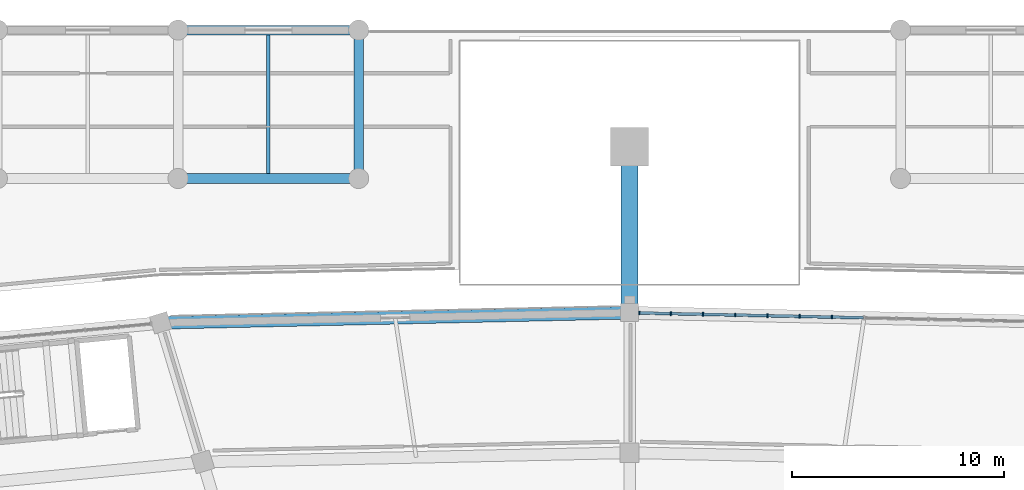
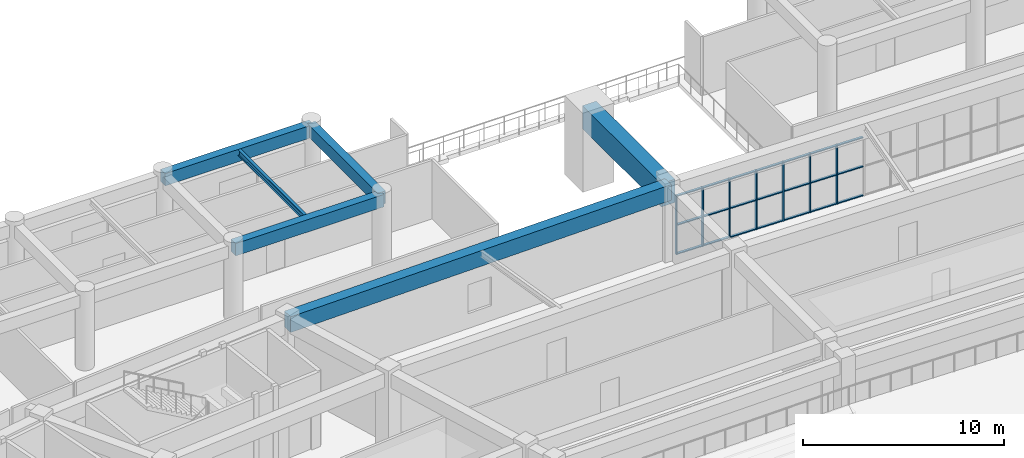
# One storey, part 67 of 152: 28 members, 6 beams, 1 element without a shape of its own.
"""IFC4 building model written with IfcOpenShell, lengths in metres."""

from ifc_helpers import new_model, si_unit, direction, frame, origin, origin_2d, place, context, subcontext, project, spatial, rectangle, i_section, extrude, material, layer, layer_set, material_profile, profile_set, type_object, element, aggregate, save


model = new_model("IFC4")

# Units and contexts
model_context = context("Model", 3, precision=1e-05, world=origin(), true_north=direction((0.0, 1.0)))
body_context = subcontext(model_context, "Body", "Model", "MODEL_VIEW")
ifc_project = project(units=[si_unit("LENGTHUNIT", "METRE"), si_unit("AREAUNIT", "SQUARE_METRE"), si_unit("VOLUMEUNIT", "CUBIC_METRE"), si_unit("PLANEANGLEUNIT", "RADIAN"), si_unit("MASSUNIT", "GRAM", prefix="KILO")], contexts=[model_context])

# Site, building, storey
site_placement = place(None, origin())
site = spatial("IfcSite", under=ifc_project, at=site_placement, CompositionType="ELEMENT")
building_placement = place(site_placement, origin())
building = spatial("IfcBuilding", under=site, at=building_placement, Name="Mphavela Belvedere Stadium", CompositionType="ELEMENT")
storey_placement = place(building_placement, frame((0.0, 0.0, 5.39990234375)))
storey = spatial("IfcBuildingStorey", under=building, at=storey_placement, Name="L01", CompositionType="ELEMENT", Elevation=5.39990234375)

# Beams
ifc_material_1 = material(Name="Concrete C50/60", Category="concrete")
ifc_material_profile_1 = material_profile(ifc_material_1, rectangle(XDim=0.800048828125, YDim=1.39990234375, at=origin_2d()), Name="RC 800x1400")
ifc_profile_set_1 = profile_set([ifc_material_profile_1], Name="Concrete C50/60")
beam_type_1 = type_object("IfcBeamType", Name="BM-BUTTRESS-TIE-1400", PredefinedType="BEAM", material=ifc_profile_set_1)
beam_1_placement = place(storey_placement, frame((115.0, 160.669921875, 3.85009765625), z_axis=(0.0, 1.0, 0.0), x_axis=(-1.0, 0.0, 0.0)))
element("IfcBeam", 1, at=beam_1_placement, inside=storey, type_object=beam_type_1, Name="Mast buttress tie girder L01", PredefinedType="BEAM", context=body_context, shape_type="SweptSolid", body=[
    extrude(rectangle(XDim=0.800048828125, YDim=1.39990234375, at=origin_2d()), origin(), (0.0, 0.0, 1.0), 7.830078125),
])
ifc_material_2 = material(Name="Concrete C40/50", Category="concrete")
ifc_material_profile_2 = material_profile(ifc_material_2, rectangle(XDim=0.60009765625, YDim=0.949951171875, at=origin_2d()), Name="RC 600x950")
ifc_profile_set_2 = profile_set([ifc_material_profile_2], Name="Concrete C40/50")
beam_type_2 = type_object("IfcBeamType", Name="BM-ENTABLATURE-950", PredefinedType="SPANDREL", material=ifc_profile_set_2)
beam_2_placement = place(storey_placement, frame((115.0, 160.669921875, 4.0751953125), z_axis=(-0.999768359718, -0.021522706765, 0.0), x_axis=(0.021522706765, -0.999768359718, 0.0)))
element("IfcBeam", 2, at=beam_2_placement, inside=storey, type_object=beam_type_2, Name="Circumferential girder L01 R4-13", PredefinedType="SPANDREL", context=body_context, shape_type="SweptSolid", body=[
    extrude(rectangle(XDim=0.60009765625, YDim=0.949951171875, at=origin_2d()), origin(), (0.0, 0.0, 1.0), 22.11962890625),
])
ifc_material_3 = material(Name="Steel S355", Category="steel")
ifc_material_profile_3 = material_profile(ifc_material_3, i_section(OverallWidth=0.169921875, OverallDepth=0.360107421875, WebThickness=0.008056640625, FlangeThickness=0.0126953125, at=origin_2d()), Name="IPE 360")
ifc_profile_set_3 = profile_set([ifc_material_profile_3], Name="Steel S355")
beam_type_3 = type_object("IfcBeamType", Name="BM-JOIST-IPE360", PredefinedType="JOIST", material=ifc_profile_set_3)
beam_3_placement = place(storey_placement, frame((97.962890625, 167.22509765625, 4.360107421875), z_axis=(0.0, 1.0, 0.0), x_axis=(-1.0, 0.0, 0.0)))
element("IfcBeam", 3, at=beam_3_placement, inside=storey, type_object=beam_type_3, Name="North Mast and Ceremonial End Forecourt secondary joist L01 12-7", PredefinedType="JOIST", context=body_context, shape_type="SweptSolid", body=[
    extrude(i_section(OverallWidth=0.169921875, OverallDepth=0.360107421875, WebThickness=0.008056640625, FlangeThickness=0.0126953125, at=origin_2d()), origin(), (0.0, 0.0, 1.0), 6.5498046875),
])
ifc_material_4 = material(Name="Concrete C40/50", Category="concrete")
ifc_material_profile_4 = material_profile(ifc_material_4, rectangle(XDim=0.449951171875, YDim=0.75, at=origin_2d()), Name="RC 450x750")
ifc_profile_set_4 = profile_set([ifc_material_profile_4], Name="Concrete C40/50")
beam_type_4 = type_object("IfcBeamType", Name="BM-RC450x750", PredefinedType="BEAM", material=ifc_profile_set_4)
for number, where, z_axis, x_axis, name in (
    (4, (93.7041015625, 167.0, 4.1650390625), (1.0, 0.0, 0.0), (0.0, 1.0, 0.0), "North Mast and Ceremonial End Forecourt entablature beam X L01 12-7"),
    (5, (93.7041015625, 174.0, 4.1650390625), (1.0, 0.0, 0.0), (0.0, 1.0, 0.0), "North Mast and Ceremonial End Forecourt entablature beam X L01 12-8"),
):
    element("IfcBeam", number, at=place(storey_placement, frame(where, z_axis=z_axis, x_axis=x_axis)), inside=storey, type_object=beam_type_4, Name=name, PredefinedType="BEAM", context=body_context, shape_type="SweptSolid", body=[
        extrude(rectangle(XDim=0.449951171875, YDim=0.75, at=origin_2d()), origin(), (0.0, 0.0, 1.0), 8.517822265625),
    ])
beam_4_placement = place(storey_placement, frame((102.221923828125, 167.0, 4.1650390625), z_axis=(0.0, 1.0, 0.0), x_axis=(-1.0, 0.0, 0.0)))
element("IfcBeam", 6, at=beam_4_placement, inside=storey, type_object=beam_type_4, Name="North Mast and Ceremonial End Forecourt entablature beam Y L01 13-7", PredefinedType="BEAM", context=body_context, shape_type="SweptSolid", body=[
    extrude(rectangle(XDim=0.449951171875, YDim=0.75, at=origin_2d()), origin(), (0.0, 0.0, 1.0), 7.0),
])

# Curtain wall, members
ifc_material_5 = material(Name="Anodised bronze unitised curtain wall framing")
ifc_layer = layer(ifc_material_5, 0.179931640625)
ifc_layer_set = layer_set([ifc_layer], Name="Anodised bronze unitised curtain wall framing")
curtain_wall_type = type_object("IfcCurtainWallType", Name="CW-UNIT-01", PredefinedType="USERDEFINED", material=ifc_layer_set)
curtain_wall_placement = place(storey_placement, origin())
curtain_wall = element("IfcCurtainWall", 7, at=curtain_wall_placement, inside=storey, type_object=curtain_wall_type, Name="Belvedere colonnade curtain wall L01-12", ObjectType="UNITISED CURTAIN WALL", PredefinedType="USERDEFINED")
ifc_material_6 = material(Name="Anodised bronze extruded aluminium", Category="aluminium")
ifc_material_profile_5 = material_profile(ifc_material_6, rectangle(XDim=0.179931640625, YDim=0.06494140625, at=origin_2d()), Name="CW-MUL 180x65")
ifc_profile_set_5 = profile_set([ifc_material_profile_5], Name="Anodised bronze extruded aluminium")
member_type_1 = type_object("IfcMemberType", Name="CWM-180x65", PredefinedType="MULLION", material=ifc_profile_set_5)
member_1_placement = place(storey_placement, frame((124.5380859375, 160.464599609375, 0.0), z_axis=(0.0, 0.0, 1.0), x_axis=(-0.021528899038, -0.999768226394, 0.0)))
member_1 = element("IfcMember", 8, at=member_1_placement, type_object=member_type_1, Name="CW-01 mullion 9", PredefinedType="MULLION", context=body_context, shape_type="SweptSolid", body=[
    extrude(rectangle(XDim=0.179931640625, YDim=0.06494140625, at=origin_2d()), origin(), (0.0, 0.0, 1.0), 3.570068359375),
])
member_2_placement = place(storey_placement, frame((123.018798828125, 160.497314453125, 0.0), z_axis=(0.0, 0.0, 1.0), x_axis=(-0.021528899038, -0.999768226394, 0.0)))
member_2 = element("IfcMember", 9, at=member_2_placement, type_object=member_type_1, Name="CW-01 mullion 10", PredefinedType="MULLION", context=body_context, shape_type="SweptSolid", body=[
    extrude(rectangle(XDim=0.179931640625, YDim=0.06494140625, at=origin_2d()), origin(), (0.0, 0.0, 1.0), 3.570068359375),
])
member_3_placement = place(storey_placement, frame((121.499755859375, 160.530029296875, 0.0), z_axis=(0.0, 0.0, 1.0), x_axis=(-0.021528899038, -0.999768226394, 0.0)))
member_3 = element("IfcMember", 10, at=member_3_placement, type_object=member_type_1, Name="CW-01 mullion 11", PredefinedType="MULLION", context=body_context, shape_type="SweptSolid", body=[
    extrude(rectangle(XDim=0.179931640625, YDim=0.06494140625, at=origin_2d()), origin(), (0.0, 0.0, 1.0), 3.570068359375),
])
member_4_placement = place(storey_placement, frame((119.98046875, 160.562744140625, 0.0), z_axis=(0.0, 0.0, 1.0), x_axis=(-0.021528899038, -0.999768226394, 0.0)))
member_4 = element("IfcMember", 11, at=member_4_placement, type_object=member_type_1, Name="CW-01 mullion 12", PredefinedType="MULLION", context=body_context, shape_type="SweptSolid", body=[
    extrude(rectangle(XDim=0.179931640625, YDim=0.06494140625, at=origin_2d()), origin(), (0.0, 0.0, 1.0), 3.570068359375),
])
member_5_placement = place(storey_placement, frame((118.461181640625, 160.595458984375, 0.0), z_axis=(0.0, 0.0, 1.0), x_axis=(-0.021528899038, -0.999768226394, 0.0)))
member_5 = element("IfcMember", 12, at=member_5_placement, type_object=member_type_1, Name="CW-01 mullion 13", PredefinedType="MULLION", context=body_context, shape_type="SweptSolid", body=[
    extrude(rectangle(XDim=0.179931640625, YDim=0.06494140625, at=origin_2d()), origin(), (0.0, 0.0, 1.0), 3.570068359375),
])
member_6_placement = place(storey_placement, frame((116.942138671875, 160.628173828125, 0.0), z_axis=(0.0, 0.0, 1.0), x_axis=(-0.021528899038, -0.999768226394, 0.0)))
member_6 = element("IfcMember", 13, at=member_6_placement, type_object=member_type_1, Name="CW-01 mullion 14", PredefinedType="MULLION", context=body_context, shape_type="SweptSolid", body=[
    extrude(rectangle(XDim=0.179931640625, YDim=0.06494140625, at=origin_2d()), origin(), (0.0, 0.0, 1.0), 3.570068359375),
])
member_7_placement = place(storey_placement, frame((115.455322265625, 160.66015625, 0.0), z_axis=(0.0, 0.0, 1.0), x_axis=(-0.021528899038, -0.999768226394, 0.0)))
member_7 = element("IfcMember", 14, at=member_7_placement, type_object=member_type_1, Name="CW-01 mullion 15", PredefinedType="MULLION", context=body_context, shape_type="SweptSolid", body=[
    extrude(rectangle(XDim=0.179931640625, YDim=0.06494140625, at=origin_2d()), origin(), (0.0, 0.0, 1.0), 3.570068359375),
])
ifc_material_7 = material(Name="Anodised bronze extruded aluminium", Category="aluminium")
ifc_material_profile_6 = material_profile(ifc_material_7, rectangle(XDim=0.139892578125, YDim=0.06005859375, at=origin_2d()), Name="CW-TRN 140x60")
ifc_profile_set_6 = profile_set([ifc_material_profile_6], Name="Anodised bronze extruded aluminium")
member_type_2 = type_object("IfcMemberType", Name="CWT-140x60", PredefinedType="USERDEFINED", material=ifc_profile_set_6)
member_8_placement = place(storey_placement, frame((126.02490234375, 160.4326171875, 0.030029296875), z_axis=(-0.999769227323, 0.021482367147, 0.0), x_axis=(-0.021482367147, -0.999769227323, 0.0)))
member_8 = element("IfcMember", 15, at=member_8_placement, type_object=member_type_2, Name="CW-01 transom 8.1", ObjectType="TRANSOM", PredefinedType="USERDEFINED", context=body_context, shape_type="SweptSolid", body=[
    extrude(rectangle(XDim=0.139892578125, YDim=0.06005859375, at=origin_2d()), origin(), (0.0, 0.0, 1.0), 1.45458984375),
])
member_9_placement = place(storey_placement, frame((126.02490234375, 160.4326171875, 1.78515625), z_axis=(-0.999769227323, 0.021482367147, 0.0), x_axis=(-0.021482367147, -0.999769227323, 0.0)))
member_9 = element("IfcMember", 16, at=member_9_placement, type_object=member_type_2, Name="CW-01 transom 8.2", ObjectType="TRANSOM", PredefinedType="USERDEFINED", context=body_context, shape_type="SweptSolid", body=[
    extrude(rectangle(XDim=0.139892578125, YDim=0.06005859375, at=origin_2d()), origin(), (0.0, 0.0, 1.0), 1.45458984375),
])
member_10_placement = place(storey_placement, frame((126.02490234375, 160.4326171875, 3.5400390625), z_axis=(-0.999769227323, 0.021482367147, 0.0), x_axis=(-0.021482367147, -0.999769227323, 0.0)))
member_10 = element("IfcMember", 17, at=member_10_placement, type_object=member_type_2, Name="CW-01 transom 8.3", ObjectType="TRANSOM", PredefinedType="USERDEFINED", context=body_context, shape_type="SweptSolid", body=[
    extrude(rectangle(XDim=0.139892578125, YDim=0.06005859375, at=origin_2d()), origin(), (0.0, 0.0, 1.0), 1.45458984375),
])
member_11_placement = place(storey_placement, frame((124.505615234375, 160.46533203125, 0.030029296875), z_axis=(-0.999769149851, 0.021485972327, 0.0), x_axis=(-0.021485972327, -0.999769149851, 0.0)))
member_11 = element("IfcMember", 18, at=member_11_placement, type_object=member_type_2, Name="CW-01 transom 9.1", ObjectType="TRANSOM", PredefinedType="USERDEFINED", context=body_context, shape_type="SweptSolid", body=[
    extrude(rectangle(XDim=0.139892578125, YDim=0.06005859375, at=origin_2d()), origin(), (0.0, 0.0, 1.0), 1.454345703125),
])
member_12_placement = place(storey_placement, frame((124.505615234375, 160.46533203125, 1.78515625), z_axis=(-0.999769149851, 0.021485972327, 0.0), x_axis=(-0.021485972327, -0.999769149851, 0.0)))
member_12 = element("IfcMember", 19, at=member_12_placement, type_object=member_type_2, Name="CW-01 transom 9.2", ObjectType="TRANSOM", PredefinedType="USERDEFINED", context=body_context, shape_type="SweptSolid", body=[
    extrude(rectangle(XDim=0.139892578125, YDim=0.06005859375, at=origin_2d()), origin(), (0.0, 0.0, 1.0), 1.454345703125),
])
member_13_placement = place(storey_placement, frame((124.505615234375, 160.46533203125, 3.5400390625), z_axis=(-0.999769149851, 0.021485972327, 0.0), x_axis=(-0.021485972327, -0.999769149851, 0.0)))
member_13 = element("IfcMember", 20, at=member_13_placement, type_object=member_type_2, Name="CW-01 transom 9.3", ObjectType="TRANSOM", PredefinedType="USERDEFINED", context=body_context, shape_type="SweptSolid", body=[
    extrude(rectangle(XDim=0.139892578125, YDim=0.06005859375, at=origin_2d()), origin(), (0.0, 0.0, 1.0), 1.454345703125),
])
member_14_placement = place(storey_placement, frame((122.986328125, 160.498046875, 0.030029296875), z_axis=(-0.999769149851, 0.021485972327, 0.0), x_axis=(-0.021485972327, -0.999769149851, 0.0)))
member_14 = element("IfcMember", 21, at=member_14_placement, type_object=member_type_2, Name="CW-01 transom 10.1", ObjectType="TRANSOM", PredefinedType="USERDEFINED", context=body_context, shape_type="SweptSolid", body=[
    extrude(rectangle(XDim=0.139892578125, YDim=0.06005859375, at=origin_2d()), origin(), (0.0, 0.0, 1.0), 1.454345703125),
])
member_15_placement = place(storey_placement, frame((122.986328125, 160.498046875, 1.78515625), z_axis=(-0.999769149851, 0.021485972327, 0.0), x_axis=(-0.021485972327, -0.999769149851, 0.0)))
member_15 = element("IfcMember", 22, at=member_15_placement, type_object=member_type_2, Name="CW-01 transom 10.2", ObjectType="TRANSOM", PredefinedType="USERDEFINED", context=body_context, shape_type="SweptSolid", body=[
    extrude(rectangle(XDim=0.139892578125, YDim=0.06005859375, at=origin_2d()), origin(), (0.0, 0.0, 1.0), 1.454345703125),
])
member_16_placement = place(storey_placement, frame((122.986328125, 160.498046875, 3.5400390625), z_axis=(-0.999769149851, 0.021485972327, 0.0), x_axis=(-0.021485972327, -0.999769149851, 0.0)))
member_16 = element("IfcMember", 23, at=member_16_placement, type_object=member_type_2, Name="CW-01 transom 10.3", ObjectType="TRANSOM", PredefinedType="USERDEFINED", context=body_context, shape_type="SweptSolid", body=[
    extrude(rectangle(XDim=0.139892578125, YDim=0.06005859375, at=origin_2d()), origin(), (0.0, 0.0, 1.0), 1.454345703125),
])
member_17_placement = place(storey_placement, frame((121.46728515625, 160.53076171875, 0.030029296875), z_axis=(-0.999769227323, 0.021482367147, 0.0), x_axis=(-0.021482367147, -0.999769227323, 0.0)))
member_17 = element("IfcMember", 24, at=member_17_placement, type_object=member_type_2, Name="CW-01 transom 11.1", ObjectType="TRANSOM", PredefinedType="USERDEFINED", context=body_context, shape_type="SweptSolid", body=[
    extrude(rectangle(XDim=0.139892578125, YDim=0.06005859375, at=origin_2d()), origin(), (0.0, 0.0, 1.0), 1.45458984375),
])
member_18_placement = place(storey_placement, frame((121.46728515625, 160.53076171875, 1.78515625), z_axis=(-0.999769227323, 0.021482367147, 0.0), x_axis=(-0.021482367147, -0.999769227323, 0.0)))
member_18 = element("IfcMember", 25, at=member_18_placement, type_object=member_type_2, Name="CW-01 transom 11.2", ObjectType="TRANSOM", PredefinedType="USERDEFINED", context=body_context, shape_type="SweptSolid", body=[
    extrude(rectangle(XDim=0.139892578125, YDim=0.06005859375, at=origin_2d()), origin(), (0.0, 0.0, 1.0), 1.45458984375),
])
member_19_placement = place(storey_placement, frame((121.46728515625, 160.53076171875, 3.5400390625), z_axis=(-0.999769227323, 0.021482367147, 0.0), x_axis=(-0.021482367147, -0.999769227323, 0.0)))
member_19 = element("IfcMember", 26, at=member_19_placement, type_object=member_type_2, Name="CW-01 transom 11.3", ObjectType="TRANSOM", PredefinedType="USERDEFINED", context=body_context, shape_type="SweptSolid", body=[
    extrude(rectangle(XDim=0.139892578125, YDim=0.06005859375, at=origin_2d()), origin(), (0.0, 0.0, 1.0), 1.45458984375),
])
member_20_placement = place(storey_placement, frame((119.947998046875, 160.5634765625, 0.030029296875), z_axis=(-0.999769149851, 0.021485972327, 0.0), x_axis=(-0.021485972327, -0.999769149851, 0.0)))
member_20 = element("IfcMember", 27, at=member_20_placement, type_object=member_type_2, Name="CW-01 transom 12.1", ObjectType="TRANSOM", PredefinedType="USERDEFINED", context=body_context, shape_type="SweptSolid", body=[
    extrude(rectangle(XDim=0.139892578125, YDim=0.06005859375, at=origin_2d()), origin(), (0.0, 0.0, 1.0), 1.454345703125),
])
member_21_placement = place(storey_placement, frame((119.947998046875, 160.5634765625, 1.78515625), z_axis=(-0.999769149851, 0.021485972327, 0.0), x_axis=(-0.021485972327, -0.999769149851, 0.0)))
member_21 = element("IfcMember", 28, at=member_21_placement, type_object=member_type_2, Name="CW-01 transom 12.2", ObjectType="TRANSOM", PredefinedType="USERDEFINED", context=body_context, shape_type="SweptSolid", body=[
    extrude(rectangle(XDim=0.139892578125, YDim=0.06005859375, at=origin_2d()), origin(), (0.0, 0.0, 1.0), 1.454345703125),
])
member_22_placement = place(storey_placement, frame((119.947998046875, 160.5634765625, 3.5400390625), z_axis=(-0.999769149851, 0.021485972327, 0.0), x_axis=(-0.021485972327, -0.999769149851, 0.0)))
member_22 = element("IfcMember", 29, at=member_22_placement, type_object=member_type_2, Name="CW-01 transom 12.3", ObjectType="TRANSOM", PredefinedType="USERDEFINED", context=body_context, shape_type="SweptSolid", body=[
    extrude(rectangle(XDim=0.139892578125, YDim=0.06005859375, at=origin_2d()), origin(), (0.0, 0.0, 1.0), 1.454345703125),
])
member_23_placement = place(storey_placement, frame((118.4287109375, 160.59619140625, 0.030029296875), z_axis=(-0.999769149851, 0.021485972327, 0.0), x_axis=(-0.021485972327, -0.999769149851, 0.0)))
member_23 = element("IfcMember", 30, at=member_23_placement, type_object=member_type_2, Name="CW-01 transom 13.1", ObjectType="TRANSOM", PredefinedType="USERDEFINED", context=body_context, shape_type="SweptSolid", body=[
    extrude(rectangle(XDim=0.139892578125, YDim=0.06005859375, at=origin_2d()), origin(), (0.0, 0.0, 1.0), 1.454345703125),
])
member_24_placement = place(storey_placement, frame((118.4287109375, 160.59619140625, 1.78515625), z_axis=(-0.999769149851, 0.021485972327, 0.0), x_axis=(-0.021485972327, -0.999769149851, 0.0)))
member_24 = element("IfcMember", 31, at=member_24_placement, type_object=member_type_2, Name="CW-01 transom 13.2", ObjectType="TRANSOM", PredefinedType="USERDEFINED", context=body_context, shape_type="SweptSolid", body=[
    extrude(rectangle(XDim=0.139892578125, YDim=0.06005859375, at=origin_2d()), origin(), (0.0, 0.0, 1.0), 1.454345703125),
])
member_25_placement = place(storey_placement, frame((118.4287109375, 160.59619140625, 3.5400390625), z_axis=(-0.999769149851, 0.021485972327, 0.0), x_axis=(-0.021485972327, -0.999769149851, 0.0)))
member_25 = element("IfcMember", 32, at=member_25_placement, type_object=member_type_2, Name="CW-01 transom 13.3", ObjectType="TRANSOM", PredefinedType="USERDEFINED", context=body_context, shape_type="SweptSolid", body=[
    extrude(rectangle(XDim=0.139892578125, YDim=0.06005859375, at=origin_2d()), origin(), (0.0, 0.0, 1.0), 1.454345703125),
])
member_26_placement = place(storey_placement, frame((116.90966796875, 160.62890625, 0.030029296875), z_axis=(-0.999769751249, 0.021457970279, 0.0), x_axis=(-0.021457970279, -0.999769751249, 0.0)))
member_26 = element("IfcMember", 33, at=member_26_placement, type_object=member_type_2, Name="CW-01 transom 14.1", ObjectType="TRANSOM", PredefinedType="USERDEFINED", context=body_context, shape_type="SweptSolid", body=[
    extrude(rectangle(XDim=0.139892578125, YDim=0.06005859375, at=origin_2d()), origin(), (0.0, 0.0, 1.0), 1.422119140625),
])
member_27_placement = place(storey_placement, frame((116.90966796875, 160.62890625, 1.78515625), z_axis=(-0.999769751249, 0.021457970279, 0.0), x_axis=(-0.021457970279, -0.999769751249, 0.0)))
member_27 = element("IfcMember", 34, at=member_27_placement, type_object=member_type_2, Name="CW-01 transom 14.2", ObjectType="TRANSOM", PredefinedType="USERDEFINED", context=body_context, shape_type="SweptSolid", body=[
    extrude(rectangle(XDim=0.139892578125, YDim=0.06005859375, at=origin_2d()), origin(), (0.0, 0.0, 1.0), 1.422119140625),
])
member_28_placement = place(storey_placement, frame((116.90966796875, 160.62890625, 3.5400390625), z_axis=(-0.999769751249, 0.021457970279, 0.0), x_axis=(-0.021457970279, -0.999769751249, 0.0)))
member_28 = element("IfcMember", 35, at=member_28_placement, type_object=member_type_2, Name="CW-01 transom 14.3", ObjectType="TRANSOM", PredefinedType="USERDEFINED", context=body_context, shape_type="SweptSolid", body=[
    extrude(rectangle(XDim=0.139892578125, YDim=0.06005859375, at=origin_2d()), origin(), (0.0, 0.0, 1.0), 1.422119140625),
])
aggregate(curtain_wall, [member_1, member_2, member_3, member_4, member_5, member_6, member_7, member_8, member_9, member_10, member_11, member_12, member_13, member_14, member_15, member_16, member_17, member_18, member_19, member_20, member_21, member_22, member_23, member_24, member_25, member_26, member_27, member_28])

save(model, "model.ifc")
